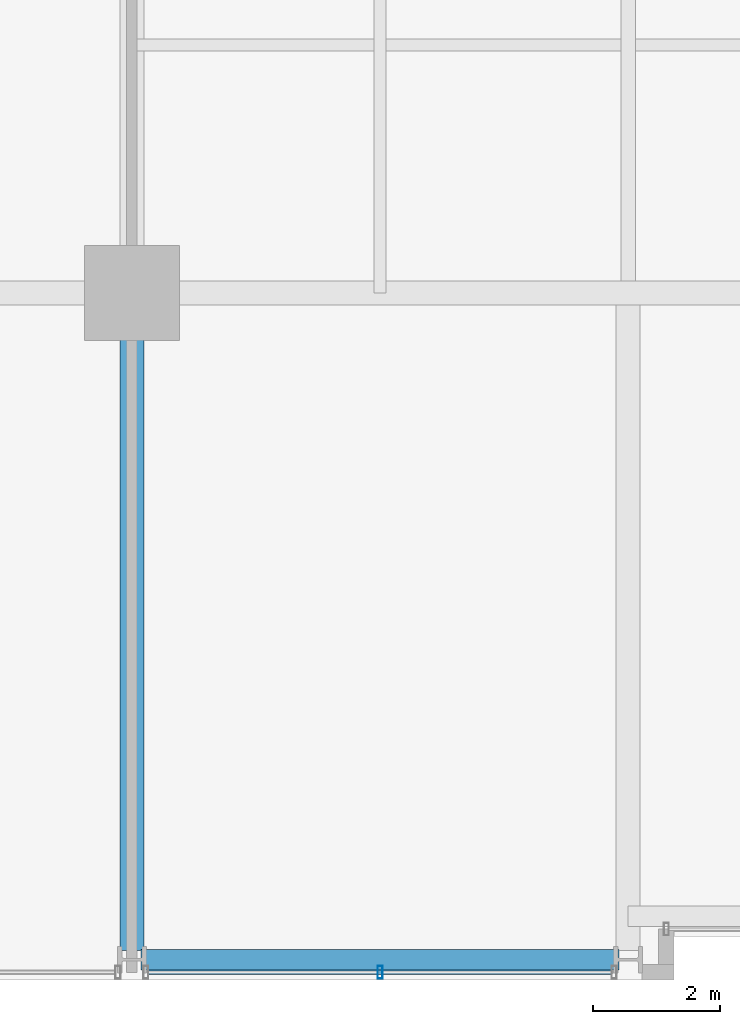
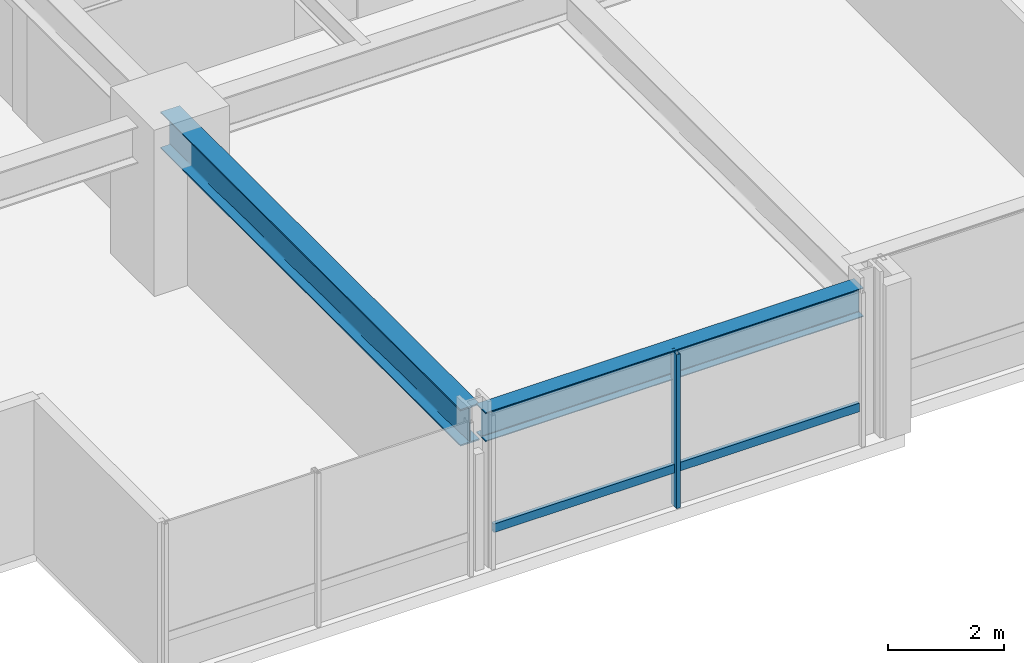
# One storey, part 3 of 33: 2 beams, 2 members, 1 element without a shape of its own.
"""IFC4 building model written with IfcOpenShell, lengths in metres."""

from ifc_helpers import new_model, si_unit, direction, frame, origin, origin_2d, place, context, subcontext, project, spatial, hollow_rectangle, i_section, extrude, material, layer, layer_set, material_profile, profile_set, type_object, element, aggregate, save


model = new_model("IFC4")

# Units and contexts
model_context = context("Model", 3, precision=1e-05, world=origin(), true_north=direction((0.0, 1.0)))
body_context = subcontext(model_context, "Body", "Model", "MODEL_VIEW")
ifc_project = project(units=[si_unit("LENGTHUNIT", "METRE"), si_unit("AREAUNIT", "SQUARE_METRE"), si_unit("VOLUMEUNIT", "CUBIC_METRE"), si_unit("PLANEANGLEUNIT", "RADIAN"), si_unit("MASSUNIT", "GRAM", prefix="KILO")], contexts=[model_context])

# Site, building, storey
site_placement = place(None, origin())
site = spatial("IfcSite", under=ifc_project, at=site_placement, CompositionType="ELEMENT")
building_placement = place(site_placement, origin())
building = spatial("IfcBuilding", under=site, at=building_placement, Name="Drelvath Grand Hotel", CompositionType="ELEMENT")
storey_placement = place(building_placement, frame((0.0, 0.0, 105.800048828125)))
storey = spatial("IfcBuildingStorey", under=building, at=storey_placement, Name="L26", CompositionType="ELEMENT", Elevation=105.800048828125)

# Curtain wall, members
ifc_material_1 = material(Name="Champagne Bronze Anodised Aluminium Frame", Category="aluminium")
ifc_layer = layer(ifc_material_1, 0.199951171875)
ifc_layer_set = layer_set([ifc_layer], Name="Champagne Bronze Anodised Aluminium Frame")
curtain_wall_type = type_object("IfcCurtainWallType", Name="Stick Curtain Wall CW-03 Champagne Bronze Mid-Rise", PredefinedType="NOTDEFINED", material=ifc_layer_set)
curtain_wall_placement = place(storey_placement, origin())
curtain_wall = element("IfcCurtainWall", 1, at=curtain_wall_placement, inside=storey, type_object=curtain_wall_type, Name="L26 CW-03 Curtain Wall CW03-L26-SW2", PredefinedType="NOTDEFINED")
ifc_material_profile_1 = material_profile(ifc_material_1, hollow_rectangle(XDim=0.074951171875, YDim=0.179931640625, WallThickness=0.0048828125, at=origin_2d()), Name="HSS180X75X5")
ifc_profile_set_1 = profile_set([ifc_material_profile_1], Name="Champagne Bronze Anodised Aluminium Frame")
member_type_1 = type_object("IfcMemberType", Name="Curtain Wall Horizontal Transom CW-03 HSS180X75X5", PredefinedType="USERDEFINED", material=ifc_profile_set_1)
member_1_placement = place(storey_placement, frame((-8.65966796875, 0.1201171875, 0.81005859375), z_axis=(-1.0, 0.0, 0.0), x_axis=(0.0, -1.0, 0.0)))
member_1 = element("IfcMember", 2, at=member_1_placement, type_object=member_type_1, Name="CW03-L26-SW2 Sill Transom", ObjectType="TRANSOM", PredefinedType="USERDEFINED", context=body_context, shape_type="SweptSolid", body=[
    extrude(hollow_rectangle(XDim=0.074951171875, YDim=0.179931640625, WallThickness=0.0048828125, at=origin_2d()), origin(), (0.0, 0.0, 1.0), 7.28076171875),
])
ifc_material_profile_2 = material_profile(ifc_material_1, hollow_rectangle(XDim=0.080078125, YDim=0.199951171875, WallThickness=0.0048828125, at=origin_2d()), Name="HSS200X80X5")
ifc_profile_set_2 = profile_set([ifc_material_profile_2], Name="Champagne Bronze Anodised Aluminium Frame")
member_type_2 = type_object("IfcMemberType", Name="Curtain Wall Vertical Mullion CW-03 HSS200X80X5", PredefinedType="MULLION", material=ifc_profile_set_2)
member_2_placement = place(storey_placement, frame((-12.300048828125, 0.1201171875, 0.0), z_axis=(0.0, 0.0, 1.0), x_axis=(1.0, 0.0, 0.0)))
member_2 = element("IfcMember", 3, at=member_2_placement, type_object=member_type_2, Name="CW03-L26-SW2 Mullion 2", PredefinedType="MULLION", context=body_context, shape_type="SweptSolid", body=[
    extrude(hollow_rectangle(XDim=0.080078125, YDim=0.199951171875, WallThickness=0.0048828125, at=origin_2d()), origin(), (0.0, 0.0, 1.0), 3.239990234375),
])
aggregate(curtain_wall, [member_2, member_1])

# Beams
ifc_material_2 = material(Name="Steel ASTM A992 Gr 50", Category="steel")
ifc_material_profile_3 = material_profile(ifc_material_2, i_section(OverallWidth=0.323974609375, OverallDepth=0.611083984375, WebThickness=0.0126953125, FlangeThickness=0.01904296875, FilletRadius=0.02197265625, at=origin_2d()), Name="W24X104")
ifc_profile_set_3 = profile_set([ifc_material_profile_3], Name="Steel ASTM A992 Gr 50")
beam_type_1 = type_object("IfcBeamType", Name="Perimeter Spandrel Beam W24X104", PredefinedType="SPANDREL", material=ifc_profile_set_3)
beam_1_placement = place(storey_placement, frame((-16.06005859375, 0.320068359375, 2.9345703125), z_axis=(1.0, 0.0, 0.0), x_axis=(0.0, 1.0, 0.0)))
element("IfcBeam", 4, at=beam_1_placement, inside=storey, type_object=beam_type_1, Name="L26 Spandrel South W", PredefinedType="SPANDREL", context=body_context, shape_type="SweptSolid", body=[
    extrude(i_section(OverallWidth=0.323974609375, OverallDepth=0.611083984375, WebThickness=0.0126953125, FlangeThickness=0.01904296875, FilletRadius=0.02197265625, at=origin_2d()), origin(), (0.0, 0.0, 1.0), 7.52001953125),
])
ifc_material_profile_4 = material_profile(ifc_material_2, i_section(OverallWidth=0.380615234375, OverallDepth=0.773193359375, WebThickness=0.0166015625, FlangeThickness=0.027099609375, FilletRadius=0.02490234375, at=origin_2d()), Name="W30X173")
ifc_profile_set_4 = profile_set([ifc_material_profile_4], Name="Steel ASTM A992 Gr 50")
beam_type_2 = type_object("IfcBeamType", Name="Primary Floor Girder W30X173", PredefinedType="BEAM", material=ifc_profile_set_4)
beam_2_placement = place(storey_placement, frame((-16.199951171875, 0.4599609375, 2.853271484375), z_axis=(0.0, 1.0, 0.0), x_axis=(-1.0, 0.0, 0.0)))
element("IfcBeam", 5, at=beam_2_placement, inside=storey, type_object=beam_type_2, Name="L26 South Grid Girder 3", PredefinedType="BEAM", context=body_context, shape_type="SweptSolid", body=[
    extrude(i_section(OverallWidth=0.380615234375, OverallDepth=0.773193359375, WebThickness=0.0166015625, FlangeThickness=0.027099609375, FilletRadius=0.02490234375, at=origin_2d()), origin(), (0.0, 0.0, 1.0), 10.340087890625),
])

save(model, "model.ifc")
